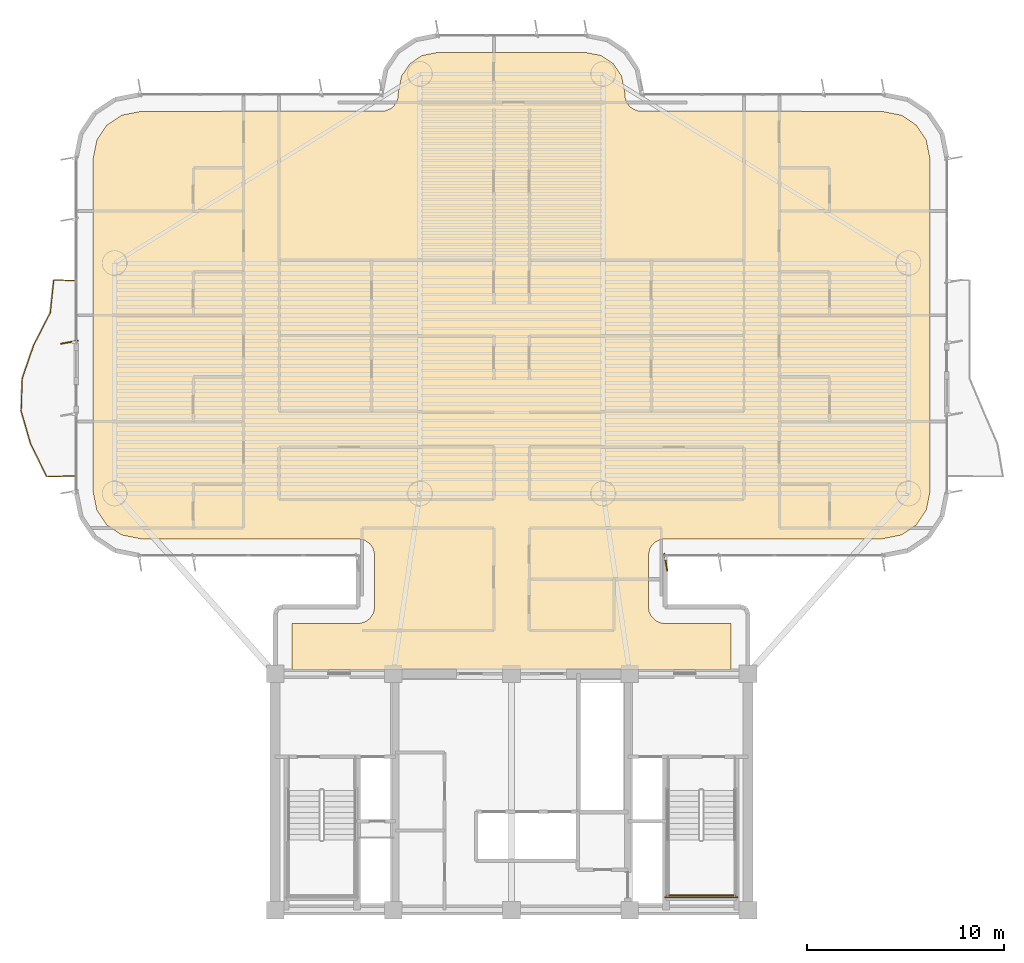
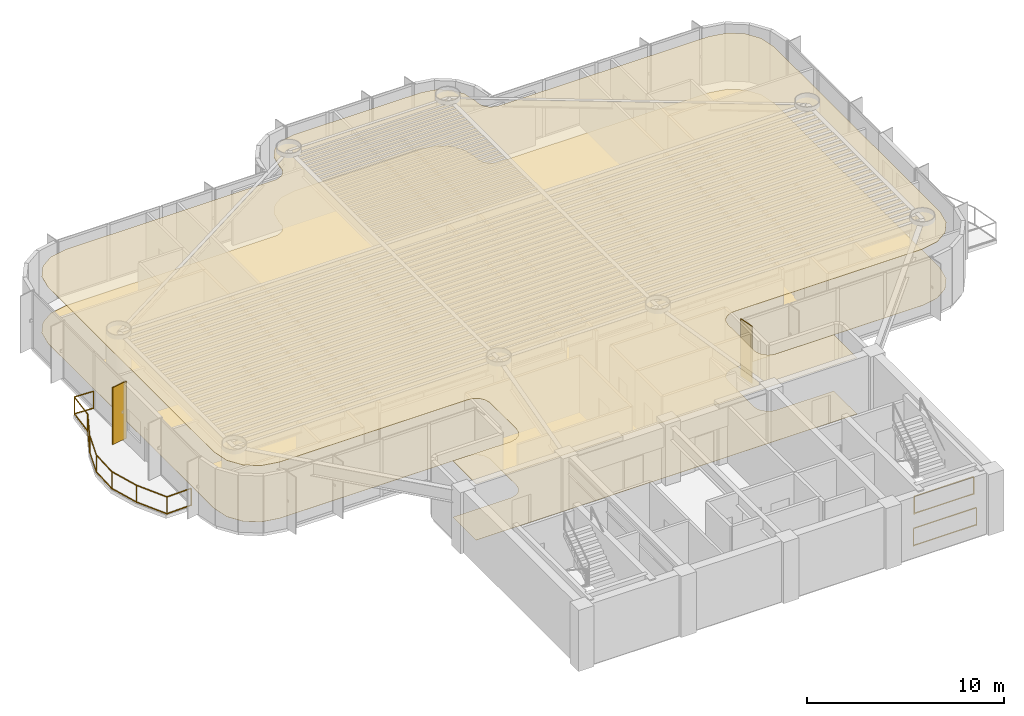
# One storey, part 15 of 17: 3 railings, 2 coverings, 2 shading devices.
"""IFC4 building model written with IfcOpenShell, lengths in metres."""

from ifc_helpers import new_model, si_unit, direction, frame, origin, origin_2d, place, context, subcontext, project, spatial, polyline, rectangle, outline, extrude, source, transform, mapped, material, layer, layer_set, material_profile, profile_set, type_object, element, save


model = new_model("IFC4")

# Units and contexts
model_context = context("Model", 3, precision=1e-05, world=origin(), true_north=direction((0.0, 1.0)))
body_context = subcontext(model_context, "Body", "Model", "MODEL_VIEW")
ifc_project = project(units=[si_unit("LENGTHUNIT", "METRE"), si_unit("AREAUNIT", "SQUARE_METRE"), si_unit("VOLUMEUNIT", "CUBIC_METRE"), si_unit("PLANEANGLEUNIT", "RADIAN"), si_unit("MASSUNIT", "GRAM", prefix="KILO")], contexts=[model_context])

# Site, building, storey
site_placement = place(None, origin())
site = spatial("IfcSite", under=ifc_project, at=site_placement, CompositionType="ELEMENT")
building_placement = place(site_placement, origin())
building = spatial("IfcBuilding", under=site, at=building_placement, Name="Brelvock Crest Care Tower", CompositionType="ELEMENT")
storey_placement = place(building_placement, frame((0.0, 0.0, 131.39990234375)))
storey = spatial("IfcBuildingStorey", under=building, at=storey_placement, Name="L33", CompositionType="ELEMENT", Elevation=131.39990234375)

# Coverings
ifc_material_1 = material(Name="Mineral Fibre Acoustic Ceiling Tile", Category="gypsum")
ifc_layer_1 = layer(ifc_material_1, 0.02490234375, Name="COV-CLG1")
ifc_layer_set_1 = layer_set([ifc_layer_1], Name="Mineral Fibre Acoustic Ceiling Tile")
covering_type_1 = type_object("IfcCoveringType", Name="COV-CLG1", PredefinedType="CEILING", material=ifc_layer_set_1)
covering_1_placement = place(storey_placement, frame((0.0, 0.0, 3.47509765625)))
element("IfcCovering", 1, at=covering_1_placement, inside=storey, type_object=covering_type_1, Name="L33 Acoustic Suspended Ceiling 1", PredefinedType="CEILING", context=body_context, shape_type="SweptSolid", body=[
    extrude(outline(polyline([(24.85009765625, 18.199951171875), (47.14990234375, 18.199951171875), (47.14990234375, 20.550048828125), (43.716796875, 20.55419921875), (43.55322265625, 20.586669921875), (43.327880859375, 20.693359375), (43.09326171875, 20.927734375), (42.986572265625, 21.1533203125), (42.949951171875, 21.39990234375), (42.949951171875, 24.0), (43.0146484375, 24.3251953125), (43.09326171875, 24.47216796875), (43.2607421875, 24.656982421875), (43.55322265625, 24.8134765625), (43.800048828125, 24.85009765625), (54.81640625, 24.85009765625), (55.79296875, 25.044189453125), (56.5498046875, 25.550048828125), (57.0556640625, 26.30712890625), (57.25, 27.28369140625), (57.25, 44.1162109375), (57.0556640625, 45.093017578125), (56.5498046875, 45.849853515625), (55.79296875, 46.355712890625), (54.81640625, 46.550048828125), (42.43408203125, 46.56640625), (42.127685546875, 46.693359375), (41.9990234375, 46.799072265625), (41.850341796875, 46.999267578125), (41.766357421875, 47.234130859375), (41.75, 47.516357421875), (41.586181640625, 48.33984375), (41.1669921875, 48.967041015625), (40.539794921875, 49.38623046875), (39.71630859375, 49.550048828125), (32.28369140625, 49.550048828125), (31.460205078125, 49.38623046875), (30.8330078125, 48.967041015625), (30.413818359375, 48.33984375), (30.25, 47.516357421875), (30.233642578125, 47.234130859375), (30.149658203125, 46.999267578125), (30.0009765625, 46.799072265625), (29.872314453125, 46.693359375), (29.56591796875, 46.56640625), (17.18359375, 46.550048828125), (16.20703125, 46.355712890625), (15.4501953125, 45.849853515625), (14.9443359375, 45.093017578125), (14.75, 44.1162109375), (14.75, 27.28369140625), (14.9443359375, 26.30712890625), (15.4501953125, 25.550048828125), (16.20703125, 25.044189453125), (17.18359375, 24.85009765625), (28.199951171875, 24.85009765625), (28.525390625, 24.785400390625), (28.801025390625, 24.60107421875), (28.94970703125, 24.400634765625), (29.0458984375, 24.083251953125), (29.050048828125, 21.39990234375), (28.9853515625, 21.07470703125), (28.801025390625, 20.799072265625), (28.6005859375, 20.650390625), (28.283203125, 20.55419921875), (24.85009765625, 20.550048828125), (24.85009765625, 18.199951171875)])), origin(), (0.0, 0.0, 1.0), 0.02490234375),
])
ifc_material_2 = material(Name="Slip-Resistant Acoustic Vinyl Flooring", Category="finish")
ifc_layer_2 = layer(ifc_material_2, 0.014892578125, Name="COV-FLR1")
ifc_layer_set_2 = layer_set([ifc_layer_2], Name="Slip-Resistant Acoustic Vinyl Flooring")
covering_type_2 = type_object("IfcCoveringType", Name="COV-FLR1", PredefinedType="FLOORING", material=ifc_layer_set_2)
covering_2_placement = place(storey_placement, origin())
element("IfcCovering", 2, at=covering_2_placement, inside=storey, type_object=covering_type_2, Name="L33 Slip-Resistant Acoustic Flooring 1", PredefinedType="FLOORING", context=body_context, shape_type="SweptSolid", body=[
    extrude(outline(polyline([(24.85009765625, 18.199951171875), (47.14990234375, 18.199951171875), (47.14990234375, 20.550048828125), (43.716796875, 20.55419921875), (43.55322265625, 20.586669921875), (43.327880859375, 20.693359375), (43.09326171875, 20.927734375), (42.986572265625, 21.1533203125), (42.949951171875, 21.39990234375), (42.949951171875, 24.0), (43.0146484375, 24.3251953125), (43.09326171875, 24.47216796875), (43.2607421875, 24.656982421875), (43.55322265625, 24.8134765625), (43.800048828125, 24.85009765625), (54.81640625, 24.85009765625), (55.79296875, 25.044189453125), (56.5498046875, 25.550048828125), (57.0556640625, 26.30712890625), (57.25, 27.28369140625), (57.25, 44.1162109375), (57.0556640625, 45.093017578125), (56.5498046875, 45.849853515625), (55.79296875, 46.355712890625), (54.81640625, 46.550048828125), (42.43408203125, 46.56640625), (42.127685546875, 46.693359375), (41.9990234375, 46.799072265625), (41.850341796875, 46.999267578125), (41.766357421875, 47.234130859375), (41.75, 47.516357421875), (41.586181640625, 48.33984375), (41.1669921875, 48.967041015625), (40.539794921875, 49.38623046875), (39.71630859375, 49.550048828125), (32.28369140625, 49.550048828125), (31.460205078125, 49.38623046875), (30.8330078125, 48.967041015625), (30.413818359375, 48.33984375), (30.25, 47.516357421875), (30.233642578125, 47.234130859375), (30.149658203125, 46.999267578125), (30.0009765625, 46.799072265625), (29.872314453125, 46.693359375), (29.56591796875, 46.56640625), (17.18359375, 46.550048828125), (16.20703125, 46.355712890625), (15.4501953125, 45.849853515625), (14.9443359375, 45.093017578125), (14.75, 44.1162109375), (14.75, 27.28369140625), (14.9443359375, 26.30712890625), (15.4501953125, 25.550048828125), (16.20703125, 25.044189453125), (17.18359375, 24.85009765625), (28.199951171875, 24.85009765625), (28.525390625, 24.785400390625), (28.801025390625, 24.60107421875), (28.94970703125, 24.400634765625), (29.0458984375, 24.083251953125), (29.050048828125, 21.39990234375), (28.9853515625, 21.07470703125), (28.801025390625, 20.799072265625), (28.6005859375, 20.650390625), (28.283203125, 20.55419921875), (24.85009765625, 20.550048828125), (24.85009765625, 18.199951171875)])), origin(), (0.0, 0.0, 1.0), 0.01513671875),
])

# Railings
ifc_material_3 = material(Name="Dark Glass Double Glazed Low-E", Category="glass")
ifc_layer_3 = layer(ifc_material_3, 0.06005859375, Name="RL-BAL1")
ifc_layer_set_3 = layer_set([ifc_layer_3], Name="Dark Glass Double Glazed Low-E")
railing_type_1 = type_object("IfcRailingType", Name="RL-BAL1", PredefinedType="BALUSTRADE", material=ifc_layer_set_3)
railing_1_placement = place(storey_placement, frame((13.860107421875, 28.050048828125, 0.004150390625)))
element("IfcRailing", 3, at=railing_1_placement, inside=storey, type_object=railing_type_1, Name="L33 Safety Balustrade WB-W", PredefinedType="BALUSTRADE", context=body_context, shape_type="SweptSolid", body=[
    extrude(rectangle(XDim=0.048095703125, YDim=0.048095703125, at=origin_2d()), frame((-0.001953125, 0.0, 1.09619140625), z_axis=(-0.999404999824, -0.034491249994, 0.0), x_axis=(0.034491249994, -0.999404999824, 0.0)), (0.0, 0.0, 1.0), 1.447021484375),
    extrude(rectangle(XDim=0.048095703125, YDim=0.048095703125, at=origin_2d()), frame((-0.001953125, 0.0, 0.054931640625), z_axis=(-0.999404999824, -0.034491249994, 0.0), x_axis=(0.034491249994, -0.999404999824, 0.0)), (0.0, 0.0, 1.0), 1.447021484375),
    extrude(rectangle(XDim=0.048095703125, YDim=0.048095703125, at=origin_2d()), frame((-1.451171875, -0.04833984375, 1.09619140625), z_axis=(-0.442214310765, 0.896909417586, 0.0), x_axis=(-0.896909417586, -0.442214310765, 0.0)), (0.0, 0.0, 1.0), 1.854248046875),
    extrude(rectangle(XDim=0.048095703125, YDim=0.048095703125, at=origin_2d()), frame((-1.451171875, -0.04833984375, 0.054931640625), z_axis=(-0.442214310765, 0.896909417586, 0.0), x_axis=(-0.896909417586, -0.442214310765, 0.0)), (0.0, 0.0, 1.0), 1.854248046875),
    extrude(rectangle(XDim=0.048095703125, YDim=0.048095703125, at=origin_2d()), frame((-2.2724609375, 1.61865234375, 1.09619140625), z_axis=(-0.277935062116, 0.960599865317, 0.0), x_axis=(-0.960599865317, -0.277935062116, 0.0)), (0.0, 0.0, 1.0), 1.73095703125),
    extrude(rectangle(XDim=0.048095703125, YDim=0.048095703125, at=origin_2d()), frame((-2.2724609375, 1.61865234375, 0.054931640625), z_axis=(-0.277935062116, 0.960599865317, 0.0), x_axis=(-0.960599865317, -0.277935062116, 0.0)), (0.0, 0.0, 1.0), 1.73095703125),
    extrude(rectangle(XDim=0.048095703125, YDim=0.048095703125, at=origin_2d()), frame((-2.754150390625, 3.28515625, 1.09619140625), z_axis=(0.034109333385, 0.999418107388, 0.0), x_axis=(-0.999418107388, 0.034109333385, 0.0)), (0.0, 0.0, 1.0), 1.663818359375),
    extrude(rectangle(XDim=0.048095703125, YDim=0.048095703125, at=origin_2d()), frame((-2.754150390625, 3.28515625, 0.054931640625), z_axis=(0.034109333385, 0.999418107388, 0.0), x_axis=(-0.999418107388, 0.034109333385, 0.0)), (0.0, 0.0, 1.0), 1.663818359375),
    extrude(rectangle(XDim=0.048095703125, YDim=0.048095703125, at=origin_2d()), frame((-2.696533203125, 4.951904296875, 1.09619140625), z_axis=(0.324735154132, 0.945804990297, 0.0), x_axis=(-0.945804990297, 0.324735154132, 0.0)), (0.0, 0.0, 1.0), 1.75830078125),
    extrude(rectangle(XDim=0.048095703125, YDim=0.048095703125, at=origin_2d()), frame((-2.696533203125, 4.951904296875, 0.054931640625), z_axis=(0.324735154132, 0.945804990297, 0.0), x_axis=(-0.945804990297, 0.324735154132, 0.0)), (0.0, 0.0, 1.0), 1.75830078125),
    extrude(rectangle(XDim=0.048095703125, YDim=0.048095703125, at=origin_2d()), frame((-2.1240234375, 6.618408203125, 1.09619140625), z_axis=(0.454816788854, 0.890585026023, 0.0), x_axis=(-0.890585026023, 0.454816788854, 0.0)), (0.0, 0.0, 1.0), 1.8671875),
    extrude(rectangle(XDim=0.048095703125, YDim=0.048095703125, at=origin_2d()), frame((-2.1240234375, 6.618408203125, 0.054931640625), z_axis=(0.454816788854, 0.890585026023, 0.0), x_axis=(-0.890585026023, 0.454816788854, 0.0)), (0.0, 0.0, 1.0), 1.8671875),
    extrude(rectangle(XDim=0.048095703125, YDim=0.048095703125, at=origin_2d()), frame((-1.273681640625, 8.28515625, 1.09619140625), z_axis=(0.103729188721, 0.994605577808, 0.0), x_axis=(-0.994605577808, 0.103729188721, 0.0)), (0.0, 0.0, 1.0), 1.671875),
    extrude(rectangle(XDim=0.048095703125, YDim=0.048095703125, at=origin_2d()), frame((-1.273681640625, 8.28515625, 0.054931640625), z_axis=(0.103729188721, 0.994605577808, 0.0), x_axis=(-0.994605577808, 0.103729188721, 0.0)), (0.0, 0.0, 1.0), 1.671875),
    extrude(rectangle(XDim=0.048095703125, YDim=0.048095703125, at=origin_2d()), frame((-1.09814453125, 9.949951171875, 1.09619140625), z_axis=(0.998966710972, -0.045447886318, 0.0), x_axis=(0.045447886318, 0.998966710972, 0.0)), (0.0, 0.0, 1.0), 1.09716796875),
    extrude(rectangle(XDim=0.048095703125, YDim=0.048095703125, at=origin_2d()), frame((-1.09814453125, 9.949951171875, 0.054931640625), z_axis=(0.998966710972, -0.045447886318, 0.0), x_axis=(0.045447886318, 0.998966710972, 0.0)), (0.0, 0.0, 1.0), 1.09716796875),
    extrude(rectangle(XDim=0.0419921875, YDim=0.0419921875, at=origin_2d()), origin(), (0.0, 0.0, 1.0), 1.070068359375),
    extrude(rectangle(XDim=0.0419921875, YDim=0.0419921875, at=origin_2d()), frame((-1.4501953125, -0.050048828125, 0.0)), (0.0, 0.0, 1.0), 1.070068359375),
    extrude(rectangle(XDim=0.0419921875, YDim=0.0419921875, at=origin_2d()), frame((-2.27197265625, 1.61669921875, 0.0)), (0.0, 0.0, 1.0), 1.070068359375),
    extrude(rectangle(XDim=0.0419921875, YDim=0.0419921875, at=origin_2d()), frame((-2.754150390625, 3.283203125, 0.0)), (0.0, 0.0, 1.0), 1.070068359375),
    extrude(rectangle(XDim=0.0419921875, YDim=0.0419921875, at=origin_2d()), frame((-2.697265625, 4.949951171875, 0.0)), (0.0, 0.0, 1.0), 1.070068359375),
    extrude(rectangle(XDim=0.0419921875, YDim=0.0419921875, at=origin_2d()), frame((-2.125, 6.61669921875, 0.0)), (0.0, 0.0, 1.0), 1.070068359375),
    extrude(rectangle(XDim=0.0419921875, YDim=0.0419921875, at=origin_2d()), frame((-1.27392578125, 8.283203125, 0.0)), (0.0, 0.0, 1.0), 1.070068359375),
    extrude(rectangle(XDim=0.0419921875, YDim=0.0419921875, at=origin_2d()), frame((-1.10009765625, 9.949951171875, 0.0)), (0.0, 0.0, 1.0), 1.070068359375),
    extrude(rectangle(XDim=0.0419921875, YDim=0.0419921875, at=origin_2d()), frame((0.0, 9.89990234375, 0.0)), (0.0, 0.0, 1.0), 1.070068359375),
])
ifc_material_4 = material(Name="Steel Grade 350", Category="steel")
ifc_layer_4 = layer(ifc_material_4, 0.050048828125, Name="RL-STG1")
ifc_layer_set_4 = layer_set([ifc_layer_4], Name="Steel Grade 350")
railing_type_2 = type_object("IfcRailingType", Name="RL-STG1", PredefinedType="GUARDRAIL", material=ifc_layer_set_4)
railing_2_placement = place(storey_placement, frame((43.889892578125, 6.75, 1.89013671875)))
element("IfcRailing", 4, at=railing_2_placement, inside=storey, type_object=railing_type_2, Name="L33 ST-2 stair guard 5", PredefinedType="GUARDRAIL", context=body_context, shape_type="SweptSolid", body=[
    extrude(rectangle(XDim=0.048095703125, YDim=0.048095703125, at=origin_2d()), frame((0.001953125, 0.0, 1.11572265625), z_axis=(1.0, 0.0, 0.0), x_axis=(0.0, 1.0, 0.0)), (0.0, 0.0, 1.0), 3.476318359375),
    extrude(rectangle(XDim=0.048095703125, YDim=0.048095703125, at=origin_2d()), frame((0.001953125, 0.0, 0.054931640625), z_axis=(1.0, 0.0, 0.0), x_axis=(0.0, 1.0, 0.0)), (0.0, 0.0, 1.0), 3.476318359375),
    extrude(rectangle(XDim=0.0419921875, YDim=0.0419921875, at=origin_2d()), origin(), (0.0, 0.0, 1.0), 1.08984375),
    extrude(rectangle(XDim=0.0419921875, YDim=0.0419921875, at=origin_2d()), frame((3.480224609375, 0.0, 0.0)), (0.0, 0.0, 1.0), 1.08984375),
])
railing_3_placement = place(storey_placement, frame((43.7900390625, 6.64990234375, 0.0)))
element("IfcRailing", 5, at=railing_3_placement, inside=storey, type_object=railing_type_2, Name="L33 ST-2 stair guard 12", PredefinedType="GUARDRAIL", context=body_context, shape_type="SweptSolid", body=[
    extrude(rectangle(XDim=0.048095703125, YDim=0.048095703125, at=origin_2d()), frame((0.001953125, 0.0, 1.11572265625), z_axis=(1.0, 0.0, 0.0), x_axis=(0.0, 1.0, 0.0)), (0.0, 0.0, 1.0), 3.676025390625),
    extrude(rectangle(XDim=0.048095703125, YDim=0.048095703125, at=origin_2d()), frame((0.001953125, 0.0, 0.054931640625), z_axis=(1.0, 0.0, 0.0), x_axis=(0.0, 1.0, 0.0)), (0.0, 0.0, 1.0), 3.676025390625),
    extrude(rectangle(XDim=0.0419921875, YDim=0.0419921875, at=origin_2d()), origin(), (0.0, 0.0, 1.0), 1.08984375),
    extrude(rectangle(XDim=0.0419921875, YDim=0.0419921875, at=origin_2d()), frame((3.679931640625, 0.0, 0.0)), (0.0, 0.0, 1.0), 1.08984375),
])

# Shading devices
ifc_material_5 = material(Name="Aluminium 6063-T6", Category="aluminium")
ifc_material_profile = material_profile(ifc_material_5, rectangle(XDim=0.054931640625, YDim=0.89990234375, at=origin_2d()), Name="FIN55x900")
ifc_profile_set = profile_set([ifc_material_profile], Name="Aluminium 6063-T6")
shading_device_type = type_object("IfcShadingDeviceType", Name="SHD-FIN1", PredefinedType="USERDEFINED", material=ifc_profile_set)
shared_shape = source(origin(), body_context, "Body", "SweptSolid", [
    extrude(rectangle(XDim=0.054931640625, YDim=0.89990234375, at=origin_2d()), origin(), (0.0, 0.0, 1.0), 3.530029296875),
])
for number, where, z_axis, x_axis, name in (
    (6, (13.56005859375, 34.830078125, 0.0), (0.0, 0.0, 1.0), (-0.173648177667, 0.984807753012, 0.0), "L33 Vertical Sunshade Fin E17B-01"),
    (7, (43.830078125, 23.659912109375, 0.0), (0.0, 0.0, 1.0), (-0.984807753012, -0.173648177667, 0.0), "L33 Vertical Sunshade Fin E44-05"),
):
    element("IfcShadingDevice", number, at=place(storey_placement, frame(where, z_axis=z_axis, x_axis=x_axis)), inside=storey, type_object=shading_device_type, Name=name, ObjectType="FIN", PredefinedType="USERDEFINED", context=body_context, shape_type="MappedRepresentation", body=[
        mapped(shared_shape, transform((0.0, 0.0, 0.0), x_axis=(1.0, 0.0, 0.0), y_axis=(0.0, 1.0, 0.0), z_axis=(0.0, 0.0, 1.0), scale=1.0)),
    ])

save(model, "model.ifc")
